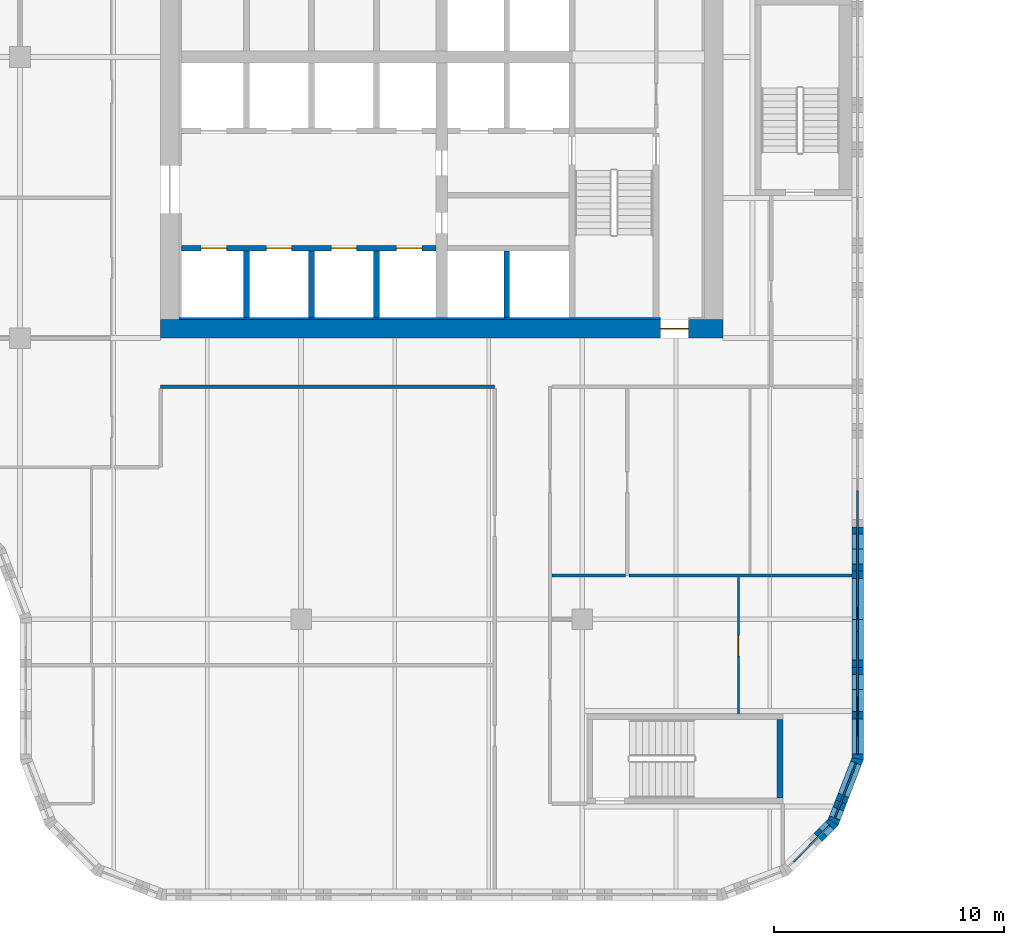
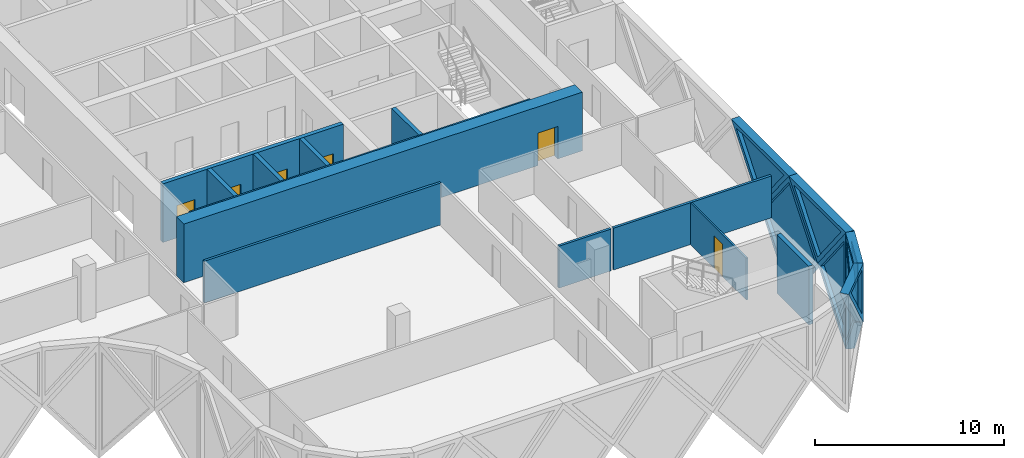
# One storey, part 8 of 24: 19 walls, 7 plates, 6 doors, 13 openings.
"""IFC4 building model written with IfcOpenShell, lengths in metres."""

from ifc_helpers import new_model, si_unit, direction, frame, frame_2d, origin, place, context, subcontext, project, spatial, polyline, rectangle, outline, extrude, faceted_brep, source, transform, mapped, material, layer, layer_set, type_object, element, fill, save


model = new_model("IFC4")

# Units and contexts
model_context = context("Model", 3, precision=1e-05, world=origin(), true_north=direction((0.0, 1.0)))
body_context = subcontext(model_context, "Body", "Model", "MODEL_VIEW")
ifc_project = project(units=[si_unit("LENGTHUNIT", "METRE"), si_unit("AREAUNIT", "SQUARE_METRE"), si_unit("VOLUMEUNIT", "CUBIC_METRE"), si_unit("PLANEANGLEUNIT", "RADIAN"), si_unit("MASSUNIT", "GRAM", prefix="KILO")], contexts=[model_context])

# Site, building, storey
site_placement = place(None, origin())
site = spatial("IfcSite", under=ifc_project, at=site_placement, CompositionType="ELEMENT")
building_placement = place(site_placement, origin())
building = spatial("IfcBuilding", under=site, at=building_placement, Name="Tessera Gate Towers", CompositionType="ELEMENT")
storey_placement = place(building_placement, frame((0.0, 0.0, 102.800048828125)))
storey = spatial("IfcBuildingStorey", under=building, at=storey_placement, Name="L25", CompositionType="ELEMENT", Elevation=102.800048828125)

# Wall, openings, doors
ifc_material_1 = material(Name="Concrete C40/50", Category="concrete")
ifc_layer_1 = layer(ifc_material_1, 0.25)
ifc_layer_set_1 = layer_set([ifc_layer_1], Name="CORE ENCLOSURE WALL 250")
wall_type_1 = type_object("IfcWallType", Name="CORE ENCLOSURE WALL 250", PredefinedType="SOLIDWALL", material=ifc_layer_set_1)
wall_1_placement = place(storey_placement, frame((31.39990234375, 28.300048828125, 0.0), z_axis=(0.0, 0.0, 1.0), x_axis=(1.0, 0.0, 0.0)))
wall_1 = element("IfcWall", 1, at=wall_1_placement, inside=storey, type_object=wall_type_1, Name="L25 shaft and stair enclosure wall", PredefinedType="SOLIDWALL", context=body_context, shape_type="SweptSolid", body=[
    extrude(rectangle(XDim=11.050048828125, YDim=0.25, at=frame_2d((5.52490234375, 0.0))), origin(), (0.0, 0.0, 1.0), 3.800048828125),
])
shared_shape_1 = source(origin(), body_context, "Body", "SweptSolid", [
    extrude(rectangle(XDim=1.10009765625, YDim=2.10009765625, at=frame_2d((0.550048828125, 1.050048828125))), frame((0.0, 0.135009765625, 0.0), z_axis=(0.0, -1.0, 0.0), x_axis=(1.0, 0.0, 0.0)), (0.0, 0.0, 1.0), 0.27001953125),
])
opening_1_placement = place(wall_1_placement, frame((0.862548828125, 0.0, 0.0)))
opening_1 = element("IfcOpeningElement", 2, at=opening_1_placement, cuts=wall_1, Name="Opening LD-LR1", PredefinedType="OPENING", context=body_context, shape_type="MappedRepresentation", body=[
    mapped(shared_shape_1, transform((0.0, 0.0, 0.0), scale=1.0)),
])
opening_2_placement = place(wall_1_placement, frame((3.6875, 0.0, 0.0)))
opening_2 = element("IfcOpeningElement", 3, at=opening_2_placement, cuts=wall_1, Name="Opening LD-LR2", PredefinedType="OPENING", context=body_context, shape_type="MappedRepresentation", body=[
    mapped(shared_shape_1, transform((0.0, 0.0, 0.0), scale=1.0)),
])
opening_3_placement = place(wall_1_placement, frame((6.512451171875, 0.0, 0.0)))
opening_3 = element("IfcOpeningElement", 4, at=opening_3_placement, cuts=wall_1, Name="Opening LD-LR3", PredefinedType="OPENING", context=body_context, shape_type="MappedRepresentation", body=[
    mapped(shared_shape_1, transform((0.0, 0.0, 0.0), scale=1.0)),
])
opening_4_placement = place(wall_1_placement, frame((9.33740234375, 0.0, 0.0)))
opening_4 = element("IfcOpeningElement", 5, at=opening_4_placement, cuts=wall_1, Name="Opening LD-LR4", PredefinedType="OPENING", context=body_context, shape_type="MappedRepresentation", body=[
    mapped(shared_shape_1, transform((0.0, 0.0, 0.0), scale=1.0)),
])
ifc_material_2 = material(Name="Stainless steel", Category="steel")
door_type_1 = type_object("IfcDoorType", Name="CORE DOOR LD 1100x2100", OperationType="DOUBLE_DOOR_SLIDING", PredefinedType="DOOR", material=ifc_material_2)
shared_shape_2 = source(origin(), body_context, "Body", "SweptSolid", [
    extrude(rectangle(XDim=1.10009765625, YDim=2.10009765625, at=frame_2d((0.550048828125, 1.050048828125))), frame((0.0, 0.02490234375, 0.0), z_axis=(0.0, -1.0, 0.0), x_axis=(1.0, 0.0, 0.0)), (0.0, 0.0, 1.0), 0.050048828125),
])
door_1_placement = place(opening_1_placement, origin())
door_1 = element("IfcDoor", 6, at=door_1_placement, inside=storey, type_object=door_type_1, Name="Landing door LR1 L25", OperationType="DOUBLE_DOOR_SLIDING", OverallHeight=2.10009765625, OverallWidth=1.10009765625, PredefinedType="DOOR", context=body_context, shape_type="MappedRepresentation", body=[
    mapped(shared_shape_2, transform((0.0, 0.0, 0.0), scale=1.0)),
])
fill(opening_1, door_1)
door_2_placement = place(opening_2_placement, origin())
door_2 = element("IfcDoor", 7, at=door_2_placement, inside=storey, type_object=door_type_1, Name="Landing door LR2 L25", OperationType="DOUBLE_DOOR_SLIDING", OverallHeight=2.10009765625, OverallWidth=1.10009765625, PredefinedType="DOOR", context=body_context, shape_type="MappedRepresentation", body=[
    mapped(shared_shape_2, transform((0.0, 0.0, 0.0), scale=1.0)),
])
fill(opening_2, door_2)
door_3_placement = place(opening_3_placement, origin())
door_3 = element("IfcDoor", 8, at=door_3_placement, inside=storey, type_object=door_type_1, Name="Landing door LR3 L25", OperationType="DOUBLE_DOOR_SLIDING", OverallHeight=2.10009765625, OverallWidth=1.10009765625, PredefinedType="DOOR", context=body_context, shape_type="MappedRepresentation", body=[
    mapped(shared_shape_2, transform((0.0, 0.0, 0.0), scale=1.0)),
])
fill(opening_3, door_3)
door_4_placement = place(opening_4_placement, origin())
door_4 = element("IfcDoor", 9, at=door_4_placement, inside=storey, type_object=door_type_1, Name="Landing door LR4 L25", OperationType="DOUBLE_DOOR_SLIDING", OverallHeight=2.10009765625, OverallWidth=1.10009765625, PredefinedType="DOOR", context=body_context, shape_type="MappedRepresentation", body=[
    mapped(shared_shape_2, transform((0.0, 0.0, 0.0), scale=1.0)),
])
fill(opening_4, door_4)

# Walls
for number, where, z_axis, x_axis, name in (
    (10, (34.22509765625, 25.300048828125, 0.0), (0.0, 0.0, 1.0), (0.0, 1.0, 0.0), "L25 shaft and stair enclosure wall"),
    (11, (37.050048828125, 25.300048828125, 0.0), (0.0, 0.0, 1.0), (0.0, 1.0, 0.0), "L25 shaft and stair enclosure wall"),
    (12, (39.875, 25.300048828125, 0.0), (0.0, 0.0, 1.0), (0.0, 1.0, 0.0), "L25 shaft and stair enclosure wall"),
    (13, (45.52490234375, 25.300048828125, 0.0), (0.0, 0.0, 1.0), (0.0, 1.0, 0.0), "L25 shaft and stair enclosure wall"),
):
    element("IfcWall", number, at=place(storey_placement, frame(where, z_axis=z_axis, x_axis=x_axis)), inside=storey, type_object=wall_type_1, Name=name, PredefinedType="SOLIDWALL", context=body_context, shape_type="SweptSolid", body=[
        extrude(rectangle(XDim=2.875, YDim=0.25, at=frame_2d((1.4375, 0.0))), origin(), (0.0, 0.0, 1.0), 3.800048828125),
    ])
wall_2_placement = place(storey_placement, frame((57.375, 7.85009765625, 0.0), z_axis=(0.0, 0.0, 1.0), x_axis=(0.0, -1.0, 0.0)))
element("IfcWall", 14, at=wall_2_placement, inside=storey, type_object=wall_type_1, Name="L25 ST4 enclosure wall", PredefinedType="SOLIDWALL", context=body_context, shape_type="SweptSolid", body=[
    extrude(rectangle(XDim=3.400146484375, YDim=0.25, at=frame_2d((1.7001953125, 0.0))), origin(), (0.0, 0.0, 1.0), 3.800048828125),
])

# Wall, opening, door
ifc_material_3 = material(Name="Concrete C60/75", Category="concrete")
ifc_layer_2 = layer(ifc_material_3, 0.800048828125)
ifc_layer_set_2 = layer_set([ifc_layer_2], Name="CORE SHEAR WALL 800 C60/75")
wall_type_2 = type_object("IfcWallType", Name="CORE SHEAR WALL 800 C60/75", PredefinedType="SHEAR", material=ifc_layer_set_2)
wall_3_placement = place(storey_placement, frame((54.89990234375, 24.800048828125, 0.0), z_axis=(0.0, 0.0, 1.0), x_axis=(-1.0, 0.0, 0.0)))
wall_3 = element("IfcWall", 15, at=wall_3_placement, inside=storey, type_object=wall_type_2, Name="Core wall S L25", PredefinedType="SHEAR", context=body_context, shape_type="SweptSolid", body=[
    extrude(rectangle(XDim=24.39990234375, YDim=0.800048828125, at=frame_2d((12.199951171875, 0.0))), origin(), (0.0, 0.0, 1.0), 3.800048828125),
])
shared_shape_3 = source(origin(), body_context, "Body", "SweptSolid", [
    extrude(rectangle(XDim=1.199951171875, YDim=2.10009765625, at=frame_2d((0.60009765625, 1.050048828125))), frame((0.0, 0.409912109375, 0.0), z_axis=(0.0, -1.0, 0.0), x_axis=(1.0, 0.0, 0.0)), (0.0, 0.0, 1.0), 0.820068359375),
])
opening_5_placement = place(wall_3_placement, frame((1.5, 0.0, 0.0)))
opening_5 = element("IfcOpeningElement", 16, at=opening_5_placement, cuts=wall_3, Name="Opening ED-T1-17-01", PredefinedType="OPENING", context=body_context, shape_type="MappedRepresentation", body=[
    mapped(shared_shape_3, transform((0.0, 0.0, 0.0), scale=1.0)),
])
ifc_material_4 = material(Name="Hollow steel fire door", Category="steel")
door_type_2 = type_object("IfcDoorType", Name="CORE DOOR ED 1200x2100", OperationType="NOTDEFINED", PredefinedType="DOOR", material=ifc_material_4)
shared_shape_4 = source(origin(), body_context, "Body", "SweptSolid", [
    extrude(rectangle(XDim=1.199951171875, YDim=2.10009765625, at=frame_2d((0.60009765625, 1.050048828125))), frame((0.0, 0.02490234375, 0.0), z_axis=(0.0, -1.0, 0.0), x_axis=(1.0, 0.0, 0.0)), (0.0, 0.0, 1.0), 0.050048828125),
])
door_5_placement = place(opening_5_placement, origin())
door_5 = element("IfcDoor", 17, at=door_5_placement, inside=storey, type_object=door_type_2, Name="Core exit door", OperationType="SINGLE_SWING_LEFT", OverallHeight=2.10009765625, OverallWidth=1.199951171875, PredefinedType="DOOR", context=body_context, shape_type="MappedRepresentation", body=[
    mapped(shared_shape_4, transform((0.0, 0.0, 0.0), scale=1.0)),
])
fill(opening_5, door_5)

# Walls
ifc_material_5 = material(Name="Concrete C60/75", Category="concrete")
ifc_layer_3 = layer(ifc_material_5, 0.10009765625)
ifc_layer_set_3 = layer_set([ifc_layer_3], Name="CORE WALL THICKENING 100")
wall_type_3 = type_object("IfcWallType", Name="CORE WALL THICKENING 100", PredefinedType="SOLIDWALL", material=ifc_layer_set_3)
wall_4_placement = place(storey_placement, frame((31.300048828125, 25.25, 0.0), z_axis=(0.0, 0.0, 1.0), x_axis=(1.0, 0.0, 0.0)))
element("IfcWall", 18, at=wall_4_placement, inside=storey, type_object=wall_type_3, Name="Core wall thickening S L25", PredefinedType="SOLIDWALL", context=body_context, shape_type="SweptSolid", body=[
    extrude(rectangle(XDim=20.89990234375, YDim=0.10009765625, at=frame_2d((10.449951171875, 0.0))), origin(), (0.0, 0.0, 1.0), 3.800048828125),
])
ifc_material_6 = material(Name="Gypsum board on steel studs, mineral wool", Category="steel")
ifc_layer_4 = layer(ifc_material_6, 0.14990234375)
ifc_layer_set_4 = layer_set([ifc_layer_4], Name="CORRIDOR WALL 150")
wall_type_4 = type_object("IfcWallType", Name="CORRIDOR WALL 150", PredefinedType="PARTITIONING", material=ifc_layer_set_4)
wall_5_placement = place(storey_placement, frame((30.5, 22.300048828125, 0.0), z_axis=(0.0, 0.0, 1.0), x_axis=(1.0, 0.0, 0.0)))
element("IfcWall", 19, at=wall_5_placement, inside=storey, type_object=wall_type_4, Name="T1-L25-PW-023", PredefinedType="PARTITIONING", context=body_context, shape_type="SweptSolid", body=[
    extrude(rectangle(XDim=14.5, YDim=0.14990234375, at=frame_2d((7.25, 0.0))), origin(), (0.0, 0.0, 1.0), 2.71484375),
])

# Wall, opening, door
ifc_material_7 = material(Name="Gypsum board on steel studs", Category="steel")
ifc_layer_5 = layer(ifc_material_7, 0.10009765625)
ifc_layer_set_5 = layer_set([ifc_layer_5], Name="PARTITION 100")
wall_type_5 = type_object("IfcWallType", Name="PARTITION 100", PredefinedType="PARTITIONING", material=ifc_layer_set_5)
wall_6_placement = place(storey_placement, frame((55.574951171875, 14.02392578125, 0.0), z_axis=(0.0, 0.0, 1.0), x_axis=(0.0, -1.0, 0.0)))
wall_6 = element("IfcWall", 20, at=wall_6_placement, inside=storey, type_object=wall_type_5, Name="T1-L25-PW-007", PredefinedType="PARTITIONING", context=body_context, shape_type="SweptSolid", body=[
    extrude(rectangle(XDim=5.923828125, YDim=0.10009765625, at=frame_2d((2.9619140625, 0.0))), origin(), (0.0, 0.0, 1.0), 2.71484375),
])
shared_shape_5 = source(origin(), body_context, "Body", "SweptSolid", [
    extrude(rectangle(XDim=0.89990234375, YDim=2.10009765625, at=frame_2d((0.449951171875, 1.050048828125))), frame((0.0, 0.06005859375, 0.0), z_axis=(0.0, -1.0, 0.0), x_axis=(1.0, 0.0, 0.0)), (0.0, 0.0, 1.0), 0.1201171875),
])
opening_6_placement = place(wall_6_placement, frame((2.52392578125, 0.0, 0.0)))
opening_6 = element("IfcOpeningElement", 21, at=opening_6_placement, cuts=wall_6, Name="Opening D190-A09-07", PredefinedType="OPENING", context=body_context, shape_type="MappedRepresentation", body=[
    mapped(shared_shape_5, transform((0.0, 0.0, 0.0), scale=1.0)),
])
ifc_material_8 = material(Name="Timber door leaf in steel frame", Category="steel")
door_type_3 = type_object("IfcDoorType", Name="INTERNAL DOOR 900 NOT RATED", OperationType="NOTDEFINED", PredefinedType="DOOR", material=ifc_material_8)
shared_shape_6 = source(origin(), body_context, "Body", "SweptSolid", [
    extrude(rectangle(XDim=0.89990234375, YDim=2.10009765625, at=frame_2d((0.449951171875, 1.050048828125))), frame((0.0, 0.02490234375, 0.0), z_axis=(0.0, -1.0, 0.0), x_axis=(1.0, 0.0, 0.0)), (0.0, 0.0, 1.0), 0.050048828125),
])
door_6_placement = place(opening_6_placement, origin())
door_6 = element("IfcDoor", 22, at=door_6_placement, inside=storey, type_object=door_type_3, Name="T1-L25-PD-011", OperationType="SINGLE_SWING_RIGHT", OverallHeight=2.10009765625, OverallWidth=0.89990234375, PredefinedType="DOOR", context=body_context, shape_type="MappedRepresentation", body=[
    mapped(shared_shape_6, transform((0.0, 0.0, 0.0), scale=1.0)),
])
fill(opening_6, door_6)

# Walls
ifc_material_9 = material(Name="Gypsum board on steel studs, mineral wool", Category="steel")
ifc_layer_6 = layer(ifc_material_9, 0.14990234375)
ifc_layer_set_6 = layer_set([ifc_layer_6], Name="TENANCY WALL 150")
wall_type_6 = type_object("IfcWallType", Name="TENANCY WALL 150", PredefinedType="PARTITIONING", material=ifc_layer_set_6)
wall_7_placement = place(storey_placement, frame((47.47607421875, 14.10009765625, 0.0), z_axis=(0.0, 0.0, 1.0), x_axis=(1.0, 0.0, 0.0)))
element("IfcWall", 23, at=wall_7_placement, inside=storey, type_object=wall_type_6, Name="T1-L25-PW-012", PredefinedType="PARTITIONING", context=body_context, shape_type="SweptSolid", body=[
    extrude(rectangle(XDim=3.197998046875, YDim=0.14990234375, at=frame_2d((1.59912109375, 0.0))), origin(), (0.0, 0.0, 1.0), 2.71484375),
])
wall_8_placement = place(storey_placement, frame((50.825927734375, 14.10009765625, 0.0), z_axis=(0.0, 0.0, 1.0), x_axis=(1.0, 0.0, 0.0)))
element("IfcWall", 24, at=wall_8_placement, inside=storey, type_object=wall_type_6, Name="T1-L25-PW-014", PredefinedType="PARTITIONING", context=body_context, shape_type="SweptSolid", body=[
    extrude(rectangle(XDim=9.674072265625, YDim=0.14990234375, at=frame_2d((4.8369140625, 0.0))), origin(), (0.0, 0.0, 1.0), 2.71484375),
])

# Wall, opening, plate
ifc_material_10 = material(Name="Precast concrete C60/75 white", Category="concrete")
ifc_layer_7 = layer(ifc_material_10, 0.5)
ifc_layer_set_7 = layer_set([ifc_layer_7], Name="TS1 tessera")
wall_type_7 = type_object("IfcWallType", Name="TS1 tessera", PredefinedType="SOLIDWALL", material=ifc_layer_set_7)
shared_shape_7 = source(origin(), body_context, "Body", "SweptSolid", [
    extrude(outline(polyline([(3.050048828125, 0.0), (6.10009765625, 3.800048828125), (3.050048828125, 7.60009765625), (0.0, 3.800048828125), (3.050048828125, 0.0)])), frame((0.0, 0.25, 0.0), z_axis=(0.0, -1.0, 0.0), x_axis=(1.0, 0.0, 0.0)), (0.0, 0.0, 1.0), 0.5),
])
wall_9_placement = place(storey_placement, frame((60.75, 9.14990234375, -3.800048828125), z_axis=(0.0, 0.0, 1.0), x_axis=(0.0, 1.0, 0.0)))
wall_9 = element("IfcWall", 25, at=wall_9_placement, inside=storey, type_object=wall_type_7, Name="Precast tessera T1 TS1-0418", PredefinedType="SOLIDWALL", context=body_context, shape_type="MappedRepresentation", body=[
    mapped(shared_shape_7, transform((0.0, 0.0, 0.0), scale=1.0)),
])
shared_shape_8 = source(origin(), body_context, "Body", "SweptSolid", [
    extrude(outline(polyline([(3.050048828125, 0.3994140625), (5.779541015625, 3.800048828125), (3.050048828125, 7.20068359375), (0.320556640625, 3.800048828125), (3.050048828125, 0.3994140625)])), frame((0.0, 0.260009765625, 0.0), z_axis=(0.0, -1.0, 0.0), x_axis=(1.0, 0.0, 0.0)), (0.0, 0.0, 1.0), 0.52001953125),
])
opening_7_placement = place(wall_9_placement, origin())
opening_7 = element("IfcOpeningElement", 26, at=opening_7_placement, cuts=wall_9, Name="Opening T1-PL2-0854", PredefinedType="OPENING", context=body_context, shape_type="MappedRepresentation", body=[
    mapped(shared_shape_8, transform((0.0, 0.0, 0.0), scale=1.0)),
])
ifc_material_11 = material(Name="Low-e laminated glass", Category="glass")
ifc_layer_8 = layer(ifc_material_11, 0.06005859375)
ifc_layer_set_8 = layer_set([ifc_layer_8], Name="PL2 rhombic pane")
plate_type_1 = type_object("IfcPlateType", Name="PL2 rhombic pane", PredefinedType="SHEET", material=ifc_layer_set_8)
shared_shape_9 = source(origin(), body_context, "Body", "SweptSolid", [
    extrude(outline(polyline([(3.050048828125, 0.3994140625), (5.779541015625, 3.800048828125), (3.050048828125, 7.20068359375), (0.320556640625, 3.800048828125), (3.050048828125, 0.3994140625)])), frame((0.0, 0.030029296875, 0.0), z_axis=(0.0, -1.0, 0.0), x_axis=(1.0, 0.0, 0.0)), (0.0, 0.0, 1.0), 0.06005859375),
])
plate_1_placement = place(opening_7_placement, origin())
plate_1 = element("IfcPlate", 27, at=plate_1_placement, inside=storey, type_object=plate_type_1, Name="Glass pane T1 PL2-0854", PredefinedType="SHEET", context=body_context, shape_type="MappedRepresentation", body=[
    mapped(shared_shape_9, transform((0.0, 0.0, 0.0), scale=1.0)),
])
fill(opening_7, plate_1)

ifc_material_12 = material(Name="Precast concrete C60/75 white", Category="concrete")
ifc_layer_9 = layer(ifc_material_12, 0.5)
ifc_layer_set_9 = layer_set([ifc_layer_9], Name="TS3 corner tessera")
wall_type_8 = type_object("IfcWallType", Name="TS3 corner tessera", PredefinedType="SOLIDWALL", material=ifc_layer_set_9)
shared_shape_10 = source(origin(), body_context, "Body", "Brep", [
    faceted_brep([(2.950439453125, -0.25, 0.0), (2.9970703125, -0.25, 0.05908203125), (2.9970703125, -0.25, 7.541015625), (2.950439453125, -0.25, 7.60009765625), (0.0, -0.25, 3.800048828125), (0.052978515625, 0.25, 3.8681640625), (2.904052734375, 0.25, 7.540283203125), (2.904052734375, 0.25, 0.059814453125), (0.052978515625, 0.25, 3.73193359375), (2.950439453125, 0.00048828125, 0.0), (2.950439453125, 0.00048828125, 7.60009765625), (0.0, 0.0, 3.800048828125)], [[[0, 1, 2, 3, 4]], [[5, 6, 7, 8]], [[1, 0, 9]], [[10, 3, 2]], [[6, 5, 11, 4, 3, 10]], [[8, 7, 9, 0, 4, 11]], [[8, 11, 5]], [[1, 9, 7, 6, 10, 2]]]),
])
wall_10_placement = place(storey_placement, frame((59.68798828125, 3.393798828125, -3.800048828125), z_axis=(0.0, 0.0, 1.0), x_axis=(0.359972353723, 0.932962970624, 0.0)))
wall_10 = element("IfcWall", 28, at=wall_10_placement, inside=storey, type_object=wall_type_8, Name="Precast corner tessera T1 TS3-0555", PredefinedType="SOLIDWALL", context=body_context, shape_type="MappedRepresentation", body=[
    mapped(shared_shape_10, transform((0.0, 0.0, 0.0), scale=1.0)),
])
shared_shape_11 = source(origin(), body_context, "Body", "SweptSolid", [
    extrude(outline(polyline([(2.75048828125, 6.934814453125), (0.31640625, 3.800048828125), (2.75048828125, 0.665283203125), (2.75048828125, 6.934814453125)])), frame((0.0, 0.260009765625, 0.0), z_axis=(0.0, -1.0, 0.0), x_axis=(1.0, 0.0, 0.0)), (0.0, 0.0, 1.0), 0.52001953125),
])
opening_8_placement = place(wall_10_placement, origin())
opening_8 = element("IfcOpeningElement", 29, at=opening_8_placement, cuts=wall_10, Name="Opening T1-PL2-0852", PredefinedType="OPENING", context=body_context, shape_type="MappedRepresentation", body=[
    mapped(shared_shape_11, transform((0.0, 0.0, 0.0), scale=1.0)),
])
shared_shape_12 = source(origin(), body_context, "Body", "SweptSolid", [
    extrude(outline(polyline([(2.75048828125, 6.934814453125), (0.31640625, 3.800048828125), (2.75048828125, 0.665283203125), (2.75048828125, 6.934814453125)])), frame((0.0, 0.030029296875, 0.0), z_axis=(0.0, -1.0, 0.0), x_axis=(1.0, 0.0, 0.0)), (0.0, 0.0, 1.0), 0.06005859375),
])
plate_2_placement = place(opening_8_placement, origin())
plate_2 = element("IfcPlate", 30, at=plate_2_placement, inside=storey, type_object=plate_type_1, Name="Glass pane T1 PL2-0852", PredefinedType="SHEET", context=body_context, shape_type="MappedRepresentation", body=[
    mapped(shared_shape_12, transform((0.0, 0.0, 0.0), scale=1.0)),
])
fill(opening_8, plate_2)

shared_shape_13 = source(origin(), body_context, "Body", "Brep", [
    faceted_brep([(0.046630859375, -0.25, 0.0), (3.050048828125, -0.25, 3.800048828125), (0.046630859375, -0.25, 7.60009765625), (0.0, -0.25, 7.5400390625), (0.0, -0.25, 0.06005859375), (0.09326171875, 0.25, 7.541259765625), (3.050048828125, 0.25, 3.800048828125), (0.09326171875, 0.25, 0.058837890625), (0.046630859375, 0.0, 0.0), (0.046630859375, 0.0, 7.60009765625)], [[[0, 1, 2, 3, 4]], [[5, 6, 7]], [[7, 6, 1, 0, 8]], [[6, 5, 9, 2, 1]], [[3, 2, 9]], [[8, 0, 4]], [[7, 8, 4, 3, 9, 5]]]),
])
wall_11_placement = place(storey_placement, frame((60.75, 6.099853515625, -3.800048828125), z_axis=(0.0, 0.0, 1.0), x_axis=(0.0, 1.0, 0.0)))
wall_11 = element("IfcWall", 31, at=wall_11_placement, inside=storey, type_object=wall_type_8, Name="Precast corner tessera T1 TS3-0556", PredefinedType="SOLIDWALL", context=body_context, shape_type="MappedRepresentation", body=[
    mapped(shared_shape_13, transform((0.0, 0.0, 0.0), scale=1.0)),
])
shared_shape_14 = source(origin(), body_context, "Body", "SweptSolid", [
    extrude(outline(polyline([(0.24658203125, 0.65625), (2.7314453125, 3.800048828125), (0.24658203125, 6.94384765625), (0.24658203125, 0.65625)])), frame((0.0, 0.260009765625, 0.0), z_axis=(0.0, -1.0, 0.0), x_axis=(1.0, 0.0, 0.0)), (0.0, 0.0, 1.0), 0.52001953125),
])
opening_9_placement = place(wall_11_placement, origin())
opening_9 = element("IfcOpeningElement", 32, at=opening_9_placement, cuts=wall_11, Name="Opening T1-PL2-0853", PredefinedType="OPENING", context=body_context, shape_type="MappedRepresentation", body=[
    mapped(shared_shape_14, transform((0.0, 0.0, 0.0), scale=1.0)),
])
shared_shape_15 = source(origin(), body_context, "Body", "SweptSolid", [
    extrude(outline(polyline([(0.24658203125, 0.65625), (2.7314453125, 3.800048828125), (0.24658203125, 6.94384765625), (0.24658203125, 0.65625)])), frame((0.0, 0.030029296875, 0.0), z_axis=(0.0, -1.0, 0.0), x_axis=(1.0, 0.0, 0.0)), (0.0, 0.0, 1.0), 0.06005859375),
])
plate_3_placement = place(opening_9_placement, origin())
plate_3 = element("IfcPlate", 33, at=plate_3_placement, inside=storey, type_object=plate_type_1, Name="Glass pane T1 PL2-0853", PredefinedType="SHEET", context=body_context, shape_type="MappedRepresentation", body=[
    mapped(shared_shape_15, transform((0.0, 0.0, 0.0), scale=1.0)),
])
fill(opening_9, plate_3)

ifc_material_13 = material(Name="Precast concrete C60/75 white", Category="concrete")
ifc_layer_10 = layer(ifc_material_13, 0.5)
ifc_layer_set_10 = layer_set([ifc_layer_10], Name="TS2 half tessera")
wall_type_9 = type_object("IfcWallType", Name="TS2 half tessera", PredefinedType="SOLIDWALL", material=ifc_layer_set_10)
shared_shape_16 = source(origin(), body_context, "Body", "SweptSolid", [
    extrude(outline(polyline([(3.050048828125, 0.0), (6.10009765625, 3.800048828125), (0.0, 3.800048828125), (3.050048828125, 0.0)])), frame((0.0, 0.25, 0.0), z_axis=(0.0, -1.0, 0.0), x_axis=(1.0, 0.0, 0.0)), (0.0, 0.0, 1.0), 0.5),
])
wall_12_placement = place(storey_placement, frame((60.75, 12.199951171875, 0.0), z_axis=(0.0, 0.0, 1.0), x_axis=(0.0, 1.0, 0.0)))
wall_12 = element("IfcWall", 34, at=wall_12_placement, inside=storey, type_object=wall_type_9, Name="Precast half tessera T1 TS2-0119", PredefinedType="SOLIDWALL", context=body_context, shape_type="MappedRepresentation", body=[
    mapped(shared_shape_16, transform((0.0, 0.0, 0.0), scale=1.0)),
])
shared_shape_17 = source(origin(), body_context, "Body", "SweptSolid", [
    extrude(outline(polyline([(3.050048828125, 0.3994140625), (5.578857421875, 3.550048828125), (0.521240234375, 3.550048828125), (3.050048828125, 0.3994140625)])), frame((0.0, 0.260009765625, 0.0), z_axis=(0.0, -1.0, 0.0), x_axis=(1.0, 0.0, 0.0)), (0.0, 0.0, 1.0), 0.52001953125),
])
opening_10_placement = place(wall_12_placement, origin())
opening_10 = element("IfcOpeningElement", 35, at=opening_10_placement, cuts=wall_12, Name="Opening T1-PL1-0245", PredefinedType="OPENING", context=body_context, shape_type="MappedRepresentation", body=[
    mapped(shared_shape_17, transform((0.0, 0.0, 0.0), scale=1.0)),
])
ifc_material_14 = material(Name="Low-e laminated glass", Category="glass")
ifc_layer_11 = layer(ifc_material_14, 0.06005859375)
ifc_layer_set_11 = layer_set([ifc_layer_11], Name="PL1 triangular pane")
plate_type_2 = type_object("IfcPlateType", Name="PL1 triangular pane", PredefinedType="SHEET", material=ifc_layer_set_11)
shared_shape_18 = source(origin(), body_context, "Body", "SweptSolid", [
    extrude(outline(polyline([(3.050048828125, 0.3994140625), (5.578857421875, 3.550048828125), (0.521240234375, 3.550048828125), (3.050048828125, 0.3994140625)])), frame((0.0, 0.030029296875, 0.0), z_axis=(0.0, -1.0, 0.0), x_axis=(1.0, 0.0, 0.0)), (0.0, 0.0, 1.0), 0.06005859375),
])
plate_4_placement = place(opening_10_placement, origin())
plate_4 = element("IfcPlate", 36, at=plate_4_placement, inside=storey, type_object=plate_type_2, Name="Glass pane T1 PL1-0245", PredefinedType="SHEET", context=body_context, shape_type="MappedRepresentation", body=[
    mapped(shared_shape_18, transform((0.0, 0.0, 0.0), scale=1.0)),
])
fill(opening_10, plate_4)

shared_shape_19 = source(origin(), body_context, "Body", "Brep", [
    faceted_brep([(2.944091796875, -0.25, 0.0), (2.9970703125, -0.25, 0.068115234375), (2.9970703125, -0.25, 3.800048828125), (0.0, -0.25, 3.800048828125), (0.052978515625, 0.25, 3.800048828125), (2.89111328125, 0.25, 3.800048828125), (2.89111328125, 0.25, 0.068115234375), (0.052978515625, 0.25, 3.731689453125), (2.944091796875, 0.000244140625, 0.0), (0.0, 0.0, 3.800048828125)], [[[0, 1, 2, 3]], [[4, 5, 6, 7]], [[1, 0, 8]], [[5, 4, 9, 3, 2]], [[7, 6, 8, 0, 3, 9]], [[7, 9, 4]], [[1, 8, 6, 5, 2]]]),
])
wall_13_placement = place(storey_placement, frame((57.606201171875, 1.31201171875, 0.0), z_axis=(0.0, 0.0, 1.0), x_axis=(0.707147509625, 0.707066050402, 0.0)))
wall_13 = element("IfcWall", 37, at=wall_13_placement, inside=storey, type_object=wall_type_8, Name="Precast corner tessera T1 TS3-0581", PredefinedType="SOLIDWALL", context=body_context, shape_type="MappedRepresentation", body=[
    mapped(shared_shape_19, transform((0.0, 0.0, 0.0), scale=1.0)),
])
shared_shape_20 = source(origin(), body_context, "Body", "SweptSolid", [
    extrude(outline(polyline([(2.744140625, 3.550048828125), (0.510009765625, 3.550048828125), (2.744140625, 0.666259765625), (2.744140625, 3.550048828125)])), frame((0.0, 0.260009765625, 0.0), z_axis=(0.0, -1.0, 0.0), x_axis=(1.0, 0.0, 0.0)), (0.0, 0.0, 1.0), 0.52001953125),
])
opening_11_placement = place(wall_13_placement, origin())
opening_11 = element("IfcOpeningElement", 38, at=opening_11_placement, cuts=wall_13, Name="Opening T1-PL1-0242", PredefinedType="OPENING", context=body_context, shape_type="MappedRepresentation", body=[
    mapped(shared_shape_20, transform((0.0, 0.0, 0.0), scale=1.0)),
])
shared_shape_21 = source(origin(), body_context, "Body", "SweptSolid", [
    extrude(outline(polyline([(2.744140625, 3.550048828125), (0.510009765625, 3.550048828125), (2.744140625, 0.666259765625), (2.744140625, 3.550048828125)])), frame((0.0, 0.030029296875, 0.0), z_axis=(0.0, -1.0, 0.0), x_axis=(1.0, 0.0, 0.0)), (0.0, 0.0, 1.0), 0.06005859375),
])
plate_5_placement = place(opening_11_placement, origin())
plate_5 = element("IfcPlate", 39, at=plate_5_placement, inside=storey, type_object=plate_type_2, Name="Glass pane T1 PL1-0242", PredefinedType="SHEET", context=body_context, shape_type="MappedRepresentation", body=[
    mapped(shared_shape_21, transform((0.0, 0.0, 0.0), scale=1.0)),
])
fill(opening_11, plate_5)

shared_shape_22 = source(origin(), body_context, "Body", "Brep", [
    faceted_brep([(0.052978515625, -0.25, 0.0), (3.00341796875, -0.25, 3.800048828125), (0.0, -0.25, 3.800048828125), (0.0, -0.25, 0.068359375), (0.10595703125, 0.25, 3.800048828125), (2.95703125, 0.25, 3.800048828125), (2.95703125, 0.25, 3.740234375), (0.10595703125, 0.25, 0.068115234375), (3.00341796875, 0.00048828125, 3.800048828125), (0.052978515625, 0.0, 0.0)], [[[0, 1, 2, 3]], [[4, 5, 6, 7]], [[7, 6, 8, 1, 0, 9]], [[5, 4, 2, 1, 8]], [[9, 0, 3]], [[7, 9, 3, 2, 4]], [[6, 5, 8]]]),
])
wall_14_placement = place(storey_placement, frame((59.6689453125, 3.34423828125, 0.0), z_axis=(0.0, 0.0, 1.0), x_axis=(0.35992665181, 0.932980602862, 0.0)))
wall_14 = element("IfcWall", 40, at=wall_14_placement, inside=storey, type_object=wall_type_8, Name="Precast corner tessera T1 TS3-0582", PredefinedType="SOLIDWALL", context=body_context, shape_type="MappedRepresentation", body=[
    mapped(shared_shape_22, transform((0.0, 0.0, 0.0), scale=1.0)),
])
shared_shape_23 = source(origin(), body_context, "Body", "SweptSolid", [
    extrude(outline(polyline([(0.2529296875, 0.665283203125), (2.492919921875, 3.550048828125), (0.2529296875, 3.550048828125), (0.2529296875, 0.665283203125)])), frame((0.0, 0.260009765625, 0.0), z_axis=(0.0, -1.0, 0.0), x_axis=(1.0, 0.0, 0.0)), (0.0, 0.0, 1.0), 0.52001953125),
])
opening_12_placement = place(wall_14_placement, origin())
opening_12 = element("IfcOpeningElement", 41, at=opening_12_placement, cuts=wall_14, Name="Opening T1-PL1-0243", PredefinedType="OPENING", context=body_context, shape_type="MappedRepresentation", body=[
    mapped(shared_shape_23, transform((0.0, 0.0, 0.0), scale=1.0)),
])
shared_shape_24 = source(origin(), body_context, "Body", "SweptSolid", [
    extrude(outline(polyline([(0.2529296875, 0.665283203125), (2.492919921875, 3.550048828125), (0.2529296875, 3.550048828125), (0.2529296875, 0.665283203125)])), frame((0.0, 0.030029296875, 0.0), z_axis=(0.0, -1.0, 0.0), x_axis=(1.0, 0.0, 0.0)), (0.0, 0.0, 1.0), 0.06005859375),
])
plate_6_placement = place(opening_12_placement, origin())
plate_6 = element("IfcPlate", 42, at=plate_6_placement, inside=storey, type_object=plate_type_2, Name="Glass pane T1 PL1-0243", PredefinedType="SHEET", context=body_context, shape_type="MappedRepresentation", body=[
    mapped(shared_shape_24, transform((0.0, 0.0, 0.0), scale=1.0)),
])
fill(opening_12, plate_6)

shared_shape_25 = source(origin(), body_context, "Body", "Brep", [
    faceted_brep([(3.00341796875, -0.25, 0.0), (6.053466796875, -0.25, 3.800048828125), (0.0, -0.25, 3.800048828125), (0.046630859375, 0.25, 3.800048828125), (6.053466796875, 0.25, 3.800048828125), (3.00341796875, 0.25, 0.0), (0.046630859375, 0.25, 3.7412109375), (0.0, 0.0, 3.800048828125)], [[[0, 1, 2]], [[3, 4, 5, 6]], [[5, 4, 1, 0]], [[4, 3, 7, 2, 1]], [[6, 5, 0, 2, 7]], [[6, 7, 3]]]),
])
wall_15_placement = place(storey_placement, frame((60.75, 6.146484375, 0.0), z_axis=(0.0, 0.0, 1.0), x_axis=(0.0, 1.0, 0.0)))
wall_15 = element("IfcWall", 43, at=wall_15_placement, inside=storey, type_object=wall_type_9, Name="Precast half tessera T1 TS2-0118", PredefinedType="SOLIDWALL", context=body_context, shape_type="MappedRepresentation", body=[
    mapped(shared_shape_25, transform((0.0, 0.0, 0.0), scale=1.0)),
])
shared_shape_26 = source(origin(), body_context, "Body", "SweptSolid", [
    extrude(outline(polyline([(3.0048828125, 0.401123046875), (5.5322265625, 3.550048828125), (0.516357421875, 3.550048828125), (3.0048828125, 0.401123046875)])), frame((0.0, 0.260009765625, 0.0), z_axis=(0.0, -1.0, 0.0), x_axis=(1.0, 0.0, 0.0)), (0.0, 0.0, 1.0), 0.52001953125),
])
opening_13_placement = place(wall_15_placement, origin())
opening_13 = element("IfcOpeningElement", 44, at=opening_13_placement, cuts=wall_15, Name="Opening T1-PL1-0244", PredefinedType="OPENING", context=body_context, shape_type="MappedRepresentation", body=[
    mapped(shared_shape_26, transform((0.0, 0.0, 0.0), scale=1.0)),
])
shared_shape_27 = source(origin(), body_context, "Body", "SweptSolid", [
    extrude(outline(polyline([(3.0048828125, 0.401123046875), (5.5322265625, 3.550048828125), (0.516357421875, 3.550048828125), (3.0048828125, 0.401123046875)])), frame((0.0, 0.030029296875, 0.0), z_axis=(0.0, -1.0, 0.0), x_axis=(1.0, 0.0, 0.0)), (0.0, 0.0, 1.0), 0.06005859375),
])
plate_7_placement = place(opening_13_placement, origin())
plate_7 = element("IfcPlate", 45, at=plate_7_placement, inside=storey, type_object=plate_type_2, Name="Glass pane T1 PL1-0244", PredefinedType="SHEET", context=body_context, shape_type="MappedRepresentation", body=[
    mapped(shared_shape_27, transform((0.0, 0.0, 0.0), scale=1.0)),
])
fill(opening_13, plate_7)

save(model, "model.ifc")
